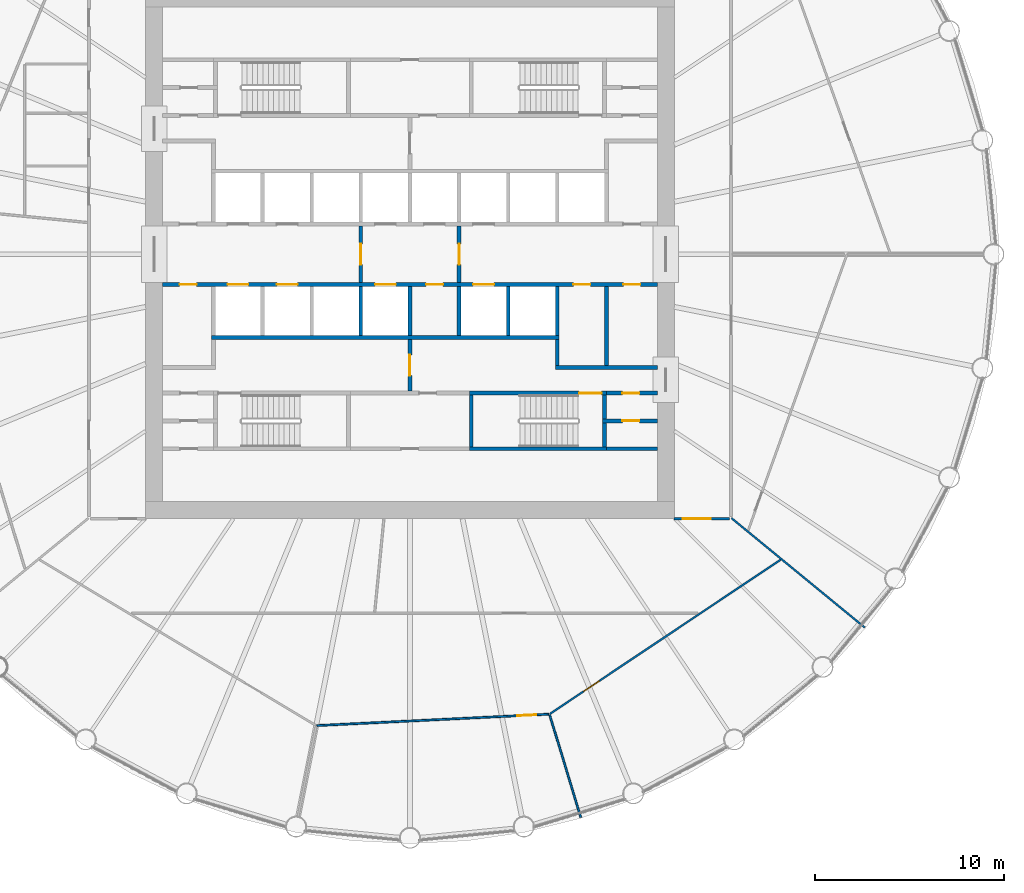
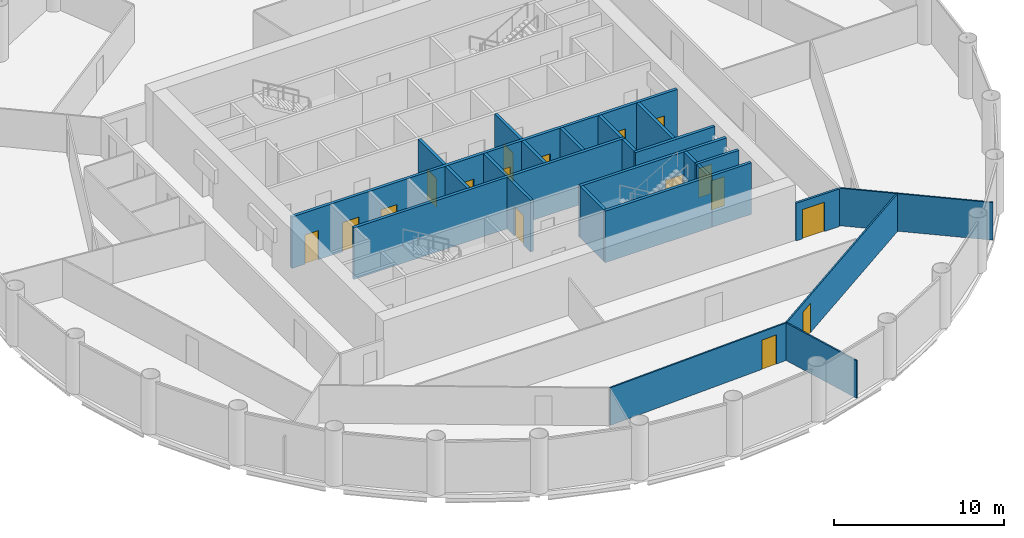
# One storey, part 5 of 9: 26 walls, 17 doors, 17 openings.
"""IFC4 building model written with IfcOpenShell, lengths in metres."""

from ifc_helpers import new_model, si_unit, direction, frame, frame_2d, origin, place, context, subcontext, project, spatial, polyline, rectangle, outline, extrude, material, layer, layer_set, type_object, element, fill, save


model = new_model("IFC4")

# Units and contexts
model_context = context("Model", 3, precision=1e-05, world=origin(), true_north=direction((0.0, 1.0)))
body_context = subcontext(model_context, "Body", "Model", "MODEL_VIEW")
ifc_project = project(units=[si_unit("LENGTHUNIT", "METRE"), si_unit("AREAUNIT", "SQUARE_METRE"), si_unit("VOLUMEUNIT", "CUBIC_METRE"), si_unit("PLANEANGLEUNIT", "RADIAN"), si_unit("MASSUNIT", "GRAM", prefix="KILO")], contexts=[model_context])

# Site, building, storey
site_placement = place(None, origin())
site = spatial("IfcSite", under=ifc_project, at=site_placement, CompositionType="ELEMENT")
building_placement = place(site_placement, origin())
building = spatial("IfcBuilding", under=site, at=building_placement, Name="Corvane Civic Tower", CompositionType="ELEMENT")
storey_placement = place(building_placement, frame((0.0, 0.0, 164.0)))
storey = spatial("IfcBuildingStorey", under=building, at=storey_placement, Name="L38", CompositionType="ELEMENT", Elevation=164.0)

# Wall, opening, door
ifc_material_1 = material(Name="Concrete C30/37", Category="concrete")
ifc_layer_1 = layer(ifc_material_1, 0.199951171875)
ifc_layer_set_1 = layer_set([ifc_layer_1], Name="Concrete C30/37")
wall_type_1 = type_object("IfcWallType", Name="CR-WALL-200", PredefinedType="PARTITIONING", material=ifc_layer_set_1)
wall_1_placement = place(storey_placement, frame((10.199951171875, -8.824951171875, 0.0), z_axis=(0.0, 0.0, 1.0), x_axis=(1.0, 0.0, 0.0)))
wall_1 = element("IfcWall", 1, at=wall_1_placement, inside=storey, type_object=wall_type_1, Name="L38 partition wall", PredefinedType="PARTITIONING", context=body_context, shape_type="SweptSolid", body=[
    extrude(rectangle(XDim=2.900146484375, YDim=0.199951171875, at=frame_2d((1.4501953125, 0.0))), origin(), (0.0, 0.0, 1.0), 3.699951171875),
])
opening_1_placement = place(wall_1_placement, frame((1.050048828125, 0.0, 0.0)))
opening_1 = element("IfcOpeningElement", 2, at=opening_1_placement, cuts=wall_1, Name="Opening L38.C19", PredefinedType="OPENING", context=body_context, shape_type="SweptSolid", body=[
    extrude(rectangle(XDim=0.89990234375, YDim=2.10009765625, at=frame_2d((0.449951171875, 1.050048828125))), frame((0.0, 0.10986328125, 0.0), z_axis=(0.0, -1.0, 0.0), x_axis=(1.0, 0.0, 0.0)), (0.0, 0.0, 1.0), 0.219970703125),
])
ifc_material_2 = material(Name="Steel fire door leaf", Category="steel")
door_type_1 = type_object("IfcDoorType", Name="CR-DOOR-900", OperationType="SINGLE_SWING_LEFT", PredefinedType="DOOR", material=ifc_material_2)
door_1_placement = place(opening_1_placement, origin())
door_1 = element("IfcDoor", 3, at=door_1_placement, inside=storey, type_object=door_type_1, Name="L38 door", OperationType="SINGLE_SWING_LEFT", OverallHeight=2.10009765625, OverallWidth=0.89990234375, PredefinedType="DOOR", context=body_context, shape_type="SweptSolid", body=[
    extrude(rectangle(XDim=0.89990234375, YDim=2.10009765625, at=frame_2d((0.449951171875, 1.050048828125))), frame((0.0, 0.02490234375, 0.0), z_axis=(0.0, -1.0, 0.0), x_axis=(1.0, 0.0, 0.0)), (0.0, 0.0, 1.0), 0.050048828125),
])
fill(opening_1, door_1)

wall_2_placement = place(storey_placement, frame((10.39990234375, -7.35009765625, 0.0), z_axis=(0.0, 0.0, 1.0), x_axis=(1.0, 0.0, 0.0)))
wall_2 = element("IfcWall", 4, at=wall_2_placement, inside=storey, type_object=wall_type_1, Name="L38 core partition wall", PredefinedType="PARTITIONING", context=body_context, shape_type="SweptSolid", body=[
    extrude(rectangle(XDim=2.7001953125, YDim=0.199951171875, at=frame_2d((1.35009765625, 0.0))), origin(), (0.0, 0.0, 1.0), 3.699951171875),
])
opening_2_placement = place(wall_2_placement, frame((0.85009765625, 0.0, 0.0)))
opening_2 = element("IfcOpeningElement", 5, at=opening_2_placement, cuts=wall_2, Name="Opening L38.C18", PredefinedType="OPENING", context=body_context, shape_type="SweptSolid", body=[
    extrude(rectangle(XDim=0.89990234375, YDim=2.10009765625, at=frame_2d((0.449951171875, 1.050048828125))), frame((0.0, 0.10986328125, 0.0), z_axis=(0.0, -1.0, 0.0), x_axis=(1.0, 0.0, 0.0)), (0.0, 0.0, 1.0), 0.219970703125),
])
door_2_placement = place(opening_2_placement, origin())
door_2 = element("IfcDoor", 6, at=door_2_placement, inside=storey, type_object=door_type_1, Name="L38 door", OperationType="SINGLE_SWING_LEFT", OverallHeight=2.10009765625, OverallWidth=0.89990234375, PredefinedType="DOOR", context=body_context, shape_type="SweptSolid", body=[
    extrude(rectangle(XDim=0.89990234375, YDim=2.10009765625, at=frame_2d((0.449951171875, 1.050048828125))), frame((0.0, 0.02490234375, 0.0), z_axis=(0.0, -1.0, 0.0), x_axis=(1.0, 0.0, 0.0)), (0.0, 0.0, 1.0), 0.050048828125),
])
fill(opening_2, door_2)

# Wall, openings, doors
wall_3_placement = place(storey_placement, frame((-13.10009765625, -1.60009765625, 0.0), z_axis=(0.0, 0.0, 1.0), x_axis=(1.0, 0.0, 0.0)))
wall_3 = element("IfcWall", 7, at=wall_3_placement, inside=storey, type_object=wall_type_1, Name="L38 lift shaft wall", PredefinedType="PARTITIONING", context=body_context, shape_type="SweptSolid", body=[
    extrude(rectangle(XDim=26.2001953125, YDim=0.199951171875, at=frame_2d((13.10009765625, 0.0))), origin(), (0.0, 0.0, 1.0), 3.699951171875),
])
opening_3_placement = place(wall_3_placement, frame((3.449951171875, 0.0, 0.0)))
opening_3 = element("IfcOpeningElement", 8, at=opening_3_placement, cuts=wall_3, Name="Opening LD", PredefinedType="OPENING", context=body_context, shape_type="SweptSolid", body=[
    extrude(rectangle(XDim=1.10009765625, YDim=2.10009765625, at=frame_2d((0.550048828125, 1.050048828125))), frame((0.0, 0.10986328125, 0.0), z_axis=(0.0, -1.0, 0.0), x_axis=(1.0, 0.0, 0.0)), (0.0, 0.0, 1.0), 0.219970703125),
])
opening_4_placement = place(wall_3_placement, frame((6.050048828125, 0.0, 0.0)))
opening_4 = element("IfcOpeningElement", 9, at=opening_4_placement, cuts=wall_3, Name="Opening LD", PredefinedType="OPENING", context=body_context, shape_type="SweptSolid", body=[
    extrude(rectangle(XDim=1.10009765625, YDim=2.10009765625, at=frame_2d((0.550048828125, 1.050048828125))), frame((0.0, 0.10986328125, 0.0), z_axis=(0.0, -1.0, 0.0), x_axis=(1.0, 0.0, 0.0)), (0.0, 0.0, 1.0), 0.219970703125),
])
opening_5_placement = place(wall_3_placement, frame((11.25, 0.0, 0.0)))
opening_5 = element("IfcOpeningElement", 10, at=opening_5_placement, cuts=wall_3, Name="Opening LD", PredefinedType="OPENING", context=body_context, shape_type="SweptSolid", body=[
    extrude(rectangle(XDim=1.10009765625, YDim=2.10009765625, at=frame_2d((0.550048828125, 1.050048828125))), frame((0.0, 0.10986328125, 0.0), z_axis=(0.0, -1.0, 0.0), x_axis=(1.0, 0.0, 0.0)), (0.0, 0.0, 1.0), 0.219970703125),
])
opening_6_placement = place(wall_3_placement, frame((13.949951171875, 0.0, 0.0)))
opening_6 = element("IfcOpeningElement", 11, at=opening_6_placement, cuts=wall_3, Name="Opening L38.C03", PredefinedType="OPENING", context=body_context, shape_type="SweptSolid", body=[
    extrude(rectangle(XDim=0.89990234375, YDim=2.10009765625, at=frame_2d((0.449951171875, 1.050048828125))), frame((0.0, 0.10986328125, 0.0), z_axis=(0.0, -1.0, 0.0), x_axis=(1.0, 0.0, 0.0)), (0.0, 0.0, 1.0), 0.219970703125),
])
opening_7_placement = place(wall_3_placement, frame((16.449951171875, 0.0, 0.0)))
opening_7 = element("IfcOpeningElement", 12, at=opening_7_placement, cuts=wall_3, Name="Opening LD", PredefinedType="OPENING", context=body_context, shape_type="SweptSolid", body=[
    extrude(rectangle(XDim=1.10009765625, YDim=2.10009765625, at=frame_2d((0.550048828125, 1.050048828125))), frame((0.0, 0.10986328125, 0.0), z_axis=(0.0, -1.0, 0.0), x_axis=(1.0, 0.0, 0.0)), (0.0, 0.0, 1.0), 0.219970703125),
])
opening_8_placement = place(wall_3_placement, frame((0.89990234375, 0.0, 0.0)))
opening_8 = element("IfcOpeningElement", 13, at=opening_8_placement, cuts=wall_3, Name="Opening L38.C04", PredefinedType="OPENING", context=body_context, shape_type="SweptSolid", body=[
    extrude(rectangle(XDim=0.89990234375, YDim=2.10009765625, at=frame_2d((0.449951171875, 1.050048828125))), frame((0.0, 0.10986328125, 0.0), z_axis=(0.0, -1.0, 0.0), x_axis=(1.0, 0.0, 0.0)), (0.0, 0.0, 1.0), 0.219970703125),
])
opening_9_placement = place(wall_3_placement, frame((21.75, 0.0, 0.0)))
opening_9 = element("IfcOpeningElement", 14, at=opening_9_placement, cuts=wall_3, Name="Opening L38.C05", PredefinedType="OPENING", context=body_context, shape_type="SweptSolid", body=[
    extrude(rectangle(XDim=0.89990234375, YDim=2.10009765625, at=frame_2d((0.449951171875, 1.050048828125))), frame((0.0, 0.10986328125, 0.0), z_axis=(0.0, -1.0, 0.0), x_axis=(1.0, 0.0, 0.0)), (0.0, 0.0, 1.0), 0.219970703125),
])
opening_10_placement = place(wall_3_placement, frame((24.39990234375, 0.0, 0.0)))
opening_10 = element("IfcOpeningElement", 15, at=opening_10_placement, cuts=wall_3, Name="Opening L38.C06", PredefinedType="OPENING", context=body_context, shape_type="SweptSolid", body=[
    extrude(rectangle(XDim=0.89990234375, YDim=2.10009765625, at=frame_2d((0.449951171875, 1.050048828125))), frame((0.0, 0.10986328125, 0.0), z_axis=(0.0, -1.0, 0.0), x_axis=(1.0, 0.0, 0.0)), (0.0, 0.0, 1.0), 0.219970703125),
])
door_3_placement = place(opening_6_placement, origin())
door_3 = element("IfcDoor", 16, at=door_3_placement, inside=storey, type_object=door_type_1, Name="L38 door", OperationType="SINGLE_SWING_LEFT", OverallHeight=2.10009765625, OverallWidth=0.89990234375, PredefinedType="DOOR", context=body_context, shape_type="SweptSolid", body=[
    extrude(rectangle(XDim=0.89990234375, YDim=2.10009765625, at=frame_2d((0.449951171875, 1.050048828125))), frame((0.0, 0.02490234375, 0.0), z_axis=(0.0, -1.0, 0.0), x_axis=(1.0, 0.0, 0.0)), (0.0, 0.0, 1.0), 0.050048828125),
])
fill(opening_6, door_3)
door_4_placement = place(opening_8_placement, origin())
door_4 = element("IfcDoor", 17, at=door_4_placement, inside=storey, type_object=door_type_1, Name="L38 door", OperationType="SINGLE_SWING_LEFT", OverallHeight=2.10009765625, OverallWidth=0.89990234375, PredefinedType="DOOR", context=body_context, shape_type="SweptSolid", body=[
    extrude(rectangle(XDim=0.89990234375, YDim=2.10009765625, at=frame_2d((0.449951171875, 1.050048828125))), frame((0.0, 0.02490234375, 0.0), z_axis=(0.0, -1.0, 0.0), x_axis=(1.0, 0.0, 0.0)), (0.0, 0.0, 1.0), 0.050048828125),
])
fill(opening_8, door_4)
door_5_placement = place(opening_9_placement, origin())
door_5 = element("IfcDoor", 18, at=door_5_placement, inside=storey, type_object=door_type_1, Name="L38 door", OperationType="SINGLE_SWING_LEFT", OverallHeight=2.10009765625, OverallWidth=0.89990234375, PredefinedType="DOOR", context=body_context, shape_type="SweptSolid", body=[
    extrude(rectangle(XDim=0.89990234375, YDim=2.10009765625, at=frame_2d((0.449951171875, 1.050048828125))), frame((0.0, 0.02490234375, 0.0), z_axis=(0.0, -1.0, 0.0), x_axis=(1.0, 0.0, 0.0)), (0.0, 0.0, 1.0), 0.050048828125),
])
fill(opening_9, door_5)
door_6_placement = place(opening_10_placement, origin())
door_6 = element("IfcDoor", 19, at=door_6_placement, inside=storey, type_object=door_type_1, Name="L38 door", OperationType="SINGLE_SWING_LEFT", OverallHeight=2.10009765625, OverallWidth=0.89990234375, PredefinedType="DOOR", context=body_context, shape_type="SweptSolid", body=[
    extrude(rectangle(XDim=0.89990234375, YDim=2.10009765625, at=frame_2d((0.449951171875, 1.050048828125))), frame((0.0, 0.02490234375, 0.0), z_axis=(0.0, -1.0, 0.0), x_axis=(1.0, 0.0, 0.0)), (0.0, 0.0, 1.0), 0.050048828125),
])
fill(opening_10, door_6)
ifc_material_3 = material(Name="Stainless steel 316 door leaves", Category="steel")
door_type_2 = type_object("IfcDoorType", Name="LD", OperationType="DOUBLE_DOOR_SLIDING", PredefinedType="DOOR", material=ifc_material_3)
door_7_placement = place(opening_3_placement, origin())
door_7 = element("IfcDoor", 20, at=door_7_placement, inside=storey, type_object=door_type_2, Name="L38 landing door", OperationType="DOUBLE_DOOR_SLIDING", OverallHeight=2.10009765625, OverallWidth=1.10009765625, PredefinedType="DOOR", context=body_context, shape_type="SweptSolid", body=[
    extrude(rectangle(XDim=1.10009765625, YDim=2.10009765625, at=frame_2d((0.550048828125, 1.050048828125))), frame((0.0, 0.02490234375, 0.0), z_axis=(0.0, -1.0, 0.0), x_axis=(1.0, 0.0, 0.0)), (0.0, 0.0, 1.0), 0.050048828125),
])
fill(opening_3, door_7)
door_8_placement = place(opening_4_placement, origin())
door_8 = element("IfcDoor", 21, at=door_8_placement, inside=storey, type_object=door_type_2, Name="L38 landing door", OperationType="DOUBLE_DOOR_SLIDING", OverallHeight=2.10009765625, OverallWidth=1.10009765625, PredefinedType="DOOR", context=body_context, shape_type="SweptSolid", body=[
    extrude(rectangle(XDim=1.10009765625, YDim=2.10009765625, at=frame_2d((0.550048828125, 1.050048828125))), frame((0.0, 0.02490234375, 0.0), z_axis=(0.0, -1.0, 0.0), x_axis=(1.0, 0.0, 0.0)), (0.0, 0.0, 1.0), 0.050048828125),
])
fill(opening_4, door_8)
door_9_placement = place(opening_5_placement, origin())
door_9 = element("IfcDoor", 22, at=door_9_placement, inside=storey, type_object=door_type_2, Name="L38 landing door", OperationType="DOUBLE_DOOR_SLIDING", OverallHeight=2.10009765625, OverallWidth=1.10009765625, PredefinedType="DOOR", context=body_context, shape_type="SweptSolid", body=[
    extrude(rectangle(XDim=1.10009765625, YDim=2.10009765625, at=frame_2d((0.550048828125, 1.050048828125))), frame((0.0, 0.02490234375, 0.0), z_axis=(0.0, -1.0, 0.0), x_axis=(1.0, 0.0, 0.0)), (0.0, 0.0, 1.0), 0.050048828125),
])
fill(opening_5, door_9)
door_10_placement = place(opening_7_placement, origin())
door_10 = element("IfcDoor", 23, at=door_10_placement, inside=storey, type_object=door_type_2, Name="L38 landing door", OperationType="DOUBLE_DOOR_SLIDING", OverallHeight=2.10009765625, OverallWidth=1.10009765625, PredefinedType="DOOR", context=body_context, shape_type="SweptSolid", body=[
    extrude(rectangle(XDim=1.10009765625, YDim=2.10009765625, at=frame_2d((0.550048828125, 1.050048828125))), frame((0.0, 0.02490234375, 0.0), z_axis=(0.0, -1.0, 0.0), x_axis=(1.0, 0.0, 0.0)), (0.0, 0.0, 1.0), 0.050048828125),
])
fill(opening_7, door_10)

# Wall, opening, door
wall_4_placement = place(storey_placement, frame((-2.60009765625, -1.5, 0.0), z_axis=(0.0, 0.0, 1.0), x_axis=(0.0, 1.0, 0.0)))
wall_4 = element("IfcWall", 24, at=wall_4_placement, inside=storey, type_object=wall_type_1, Name="L38 firefighting lobby wall", PredefinedType="PARTITIONING", context=body_context, shape_type="SweptSolid", body=[
    extrude(rectangle(XDim=3.0, YDim=0.199951171875, at=frame_2d((1.5, 0.0))), origin(), (0.0, 0.0, 1.0), 3.699951171875),
])
opening_11_placement = place(wall_4_placement, frame((0.949951171875, 0.0, 0.0)))
opening_11 = element("IfcOpeningElement", 25, at=opening_11_placement, cuts=wall_4, Name="Opening L38.C24", PredefinedType="OPENING", context=body_context, shape_type="SweptSolid", body=[
    extrude(rectangle(XDim=1.10009765625, YDim=2.10009765625, at=frame_2d((0.550048828125, 1.050048828125))), frame((0.0, 0.10986328125, 0.0), z_axis=(0.0, -1.0, 0.0), x_axis=(1.0, 0.0, 0.0)), (0.0, 0.0, 1.0), 0.219970703125),
])
ifc_material_4 = material(Name="Steel fire door leaf", Category="steel")
door_type_3 = type_object("IfcDoorType", Name="CR-DOOR-FFL-1100", OperationType="SINGLE_SWING_LEFT", PredefinedType="DOOR", material=ifc_material_4)
door_11_placement = place(opening_11_placement, origin())
door_11 = element("IfcDoor", 26, at=door_11_placement, inside=storey, type_object=door_type_3, Name="L38 lobby door", OperationType="SINGLE_SWING_LEFT", OverallHeight=2.10009765625, OverallWidth=1.10009765625, PredefinedType="DOOR", context=body_context, shape_type="SweptSolid", body=[
    extrude(rectangle(XDim=1.10009765625, YDim=2.10009765625, at=frame_2d((0.550048828125, 1.050048828125))), frame((0.0, 0.02490234375, 0.0), z_axis=(0.0, -1.0, 0.0), x_axis=(1.0, 0.0, 0.0)), (0.0, 0.0, 1.0), 0.050048828125),
])
fill(opening_11, door_11)

wall_5_placement = place(storey_placement, frame((0.0, -7.25, 0.0), z_axis=(0.0, 0.0, 1.0), x_axis=(0.0, 1.0, 0.0)))
wall_5 = element("IfcWall", 27, at=wall_5_placement, inside=storey, type_object=wall_type_1, Name="L38 core partition wall", PredefinedType="PARTITIONING", context=body_context, shape_type="SweptSolid", body=[
    extrude(rectangle(XDim=2.75, YDim=0.199951171875, at=frame_2d((1.375, 0.0))), origin(), (0.0, 0.0, 1.0), 3.699951171875),
])
opening_12_placement = place(wall_5_placement, frame((0.824951171875, 0.0, 0.0)))
opening_12 = element("IfcOpeningElement", 28, at=opening_12_placement, cuts=wall_5, Name="Opening L38.C27", PredefinedType="OPENING", context=body_context, shape_type="SweptSolid", body=[
    extrude(rectangle(XDim=1.10009765625, YDim=2.10009765625, at=frame_2d((0.550048828125, 1.050048828125))), frame((0.0, 0.10986328125, 0.0), z_axis=(0.0, -1.0, 0.0), x_axis=(1.0, 0.0, 0.0)), (0.0, 0.0, 1.0), 0.219970703125),
])
door_12_placement = place(opening_12_placement, origin())
door_12 = element("IfcDoor", 29, at=door_12_placement, inside=storey, type_object=door_type_3, Name="L38 lobby door", OperationType="SINGLE_SWING_LEFT", OverallHeight=2.10009765625, OverallWidth=1.10009765625, PredefinedType="DOOR", context=body_context, shape_type="SweptSolid", body=[
    extrude(rectangle(XDim=1.10009765625, YDim=2.10009765625, at=frame_2d((0.550048828125, 1.050048828125))), frame((0.0, 0.02490234375, 0.0), z_axis=(0.0, -1.0, 0.0), x_axis=(1.0, 0.0, 0.0)), (0.0, 0.0, 1.0), 0.050048828125),
])
fill(opening_12, door_12)

wall_6_placement = place(storey_placement, frame((2.60009765625, -1.5, 0.0), z_axis=(0.0, 0.0, 1.0), x_axis=(0.0, 1.0, 0.0)))
wall_6 = element("IfcWall", 30, at=wall_6_placement, inside=storey, type_object=wall_type_1, Name="L38 firefighting lobby wall", PredefinedType="PARTITIONING", context=body_context, shape_type="SweptSolid", body=[
    extrude(rectangle(XDim=3.0, YDim=0.199951171875, at=frame_2d((1.5, 0.0))), origin(), (0.0, 0.0, 1.0), 3.699951171875),
])
opening_13_placement = place(wall_6_placement, frame((0.949951171875, 0.0, 0.0)))
opening_13 = element("IfcOpeningElement", 31, at=opening_13_placement, cuts=wall_6, Name="Opening L38.C25", PredefinedType="OPENING", context=body_context, shape_type="SweptSolid", body=[
    extrude(rectangle(XDim=1.10009765625, YDim=2.10009765625, at=frame_2d((0.550048828125, 1.050048828125))), frame((0.0, 0.10986328125, 0.0), z_axis=(0.0, -1.0, 0.0), x_axis=(1.0, 0.0, 0.0)), (0.0, 0.0, 1.0), 0.219970703125),
])
door_13_placement = place(opening_13_placement, origin())
door_13 = element("IfcDoor", 32, at=door_13_placement, inside=storey, type_object=door_type_3, Name="L38 lobby door", OperationType="SINGLE_SWING_LEFT", OverallHeight=2.10009765625, OverallWidth=1.10009765625, PredefinedType="DOOR", context=body_context, shape_type="SweptSolid", body=[
    extrude(rectangle(XDim=1.10009765625, YDim=2.10009765625, at=frame_2d((0.550048828125, 1.050048828125))), frame((0.0, 0.02490234375, 0.0), z_axis=(0.0, -1.0, 0.0), x_axis=(1.0, 0.0, 0.0)), (0.0, 0.0, 1.0), 0.050048828125),
])
fill(opening_13, door_13)

# Walls
wall_7_placement = place(storey_placement, origin())
element("IfcWall", 33, at=wall_7_placement, inside=storey, type_object=wall_type_1, Name="L38 core partition wall", PredefinedType="PARTITIONING", context=body_context, shape_type="SweptSolid", body=[
    extrude(outline(polyline([(7.89990234375, -4.300048828125), (7.89990234375, -4.5), (-10.5, -4.5), (-10.5, -4.300048828125), (7.89990234375, -4.300048828125)])), origin(), (0.0, 0.0, 1.0), 3.699951171875),
])
wall_8_placement = place(storey_placement, origin())
element("IfcWall", 34, at=wall_8_placement, inside=storey, type_object=wall_type_1, Name="L38 core partition wall", PredefinedType="PARTITIONING", context=body_context, shape_type="SweptSolid", body=[
    extrude(outline(polyline([(13.10009765625, -6.10009765625), (7.699951171875, -6.10009765625), (7.699951171875, -5.89990234375), (13.10009765625, -5.89990234375), (13.10009765625, -6.10009765625)])), origin(), (0.0, 0.0, 1.0), 3.699951171875),
])
wall_9_placement = place(storey_placement, origin())
element("IfcWall", 35, at=wall_9_placement, inside=storey, type_object=wall_type_1, Name="L38 core partition wall", PredefinedType="PARTITIONING", context=body_context, shape_type="SweptSolid", body=[
    extrude(outline(polyline([(10.5, -1.699951171875), (10.5, -5.89990234375), (10.300048828125, -5.89990234375), (10.300048828125, -1.699951171875), (10.5, -1.699951171875)])), origin(), (0.0, 0.0, 1.0), 3.699951171875),
])
wall_10_placement = place(storey_placement, origin())
element("IfcWall", 36, at=wall_10_placement, inside=storey, type_object=wall_type_1, Name="L38 core partition wall", PredefinedType="PARTITIONING", context=body_context, shape_type="SweptSolid", body=[
    extrude(outline(polyline([(-2.5, -1.699951171875), (-2.5, -4.2998046875), (-2.699951171875, -4.2998046875), (-2.699951171875, -1.699951171875), (-2.5, -1.699951171875)])), origin(), (0.0, 0.0, 1.0), 3.699951171875),
])
wall_11_placement = place(storey_placement, origin())
element("IfcWall", 37, at=wall_11_placement, inside=storey, type_object=wall_type_1, Name="L38 core partition wall", PredefinedType="PARTITIONING", context=body_context, shape_type="SweptSolid", body=[
    extrude(outline(polyline([(2.699951171875, -1.699951171875), (2.699951171875, -4.2998046875), (2.5, -4.2998046875), (2.5, -1.699951171875), (2.699951171875, -1.699951171875)])), origin(), (0.0, 0.0, 1.0), 3.699951171875),
])
wall_12_placement = place(storey_placement, origin())
element("IfcWall", 38, at=wall_12_placement, inside=storey, type_object=wall_type_1, Name="L38 core partition wall", PredefinedType="PARTITIONING", context=body_context, shape_type="SweptSolid", body=[
    extrude(outline(polyline([(0.10009765625, -1.699951171875), (0.10009765625, -4.2998046875), (-0.10009765625, -4.2998046875), (-0.10009765625, -1.699951171875), (0.10009765625, -1.699951171875)])), origin(), (0.0, 0.0, 1.0), 3.699951171875),
])
wall_13_placement = place(storey_placement, origin())
element("IfcWall", 39, at=wall_13_placement, inside=storey, type_object=wall_type_1, Name="L38 core partition wall", PredefinedType="PARTITIONING", context=body_context, shape_type="SweptSolid", body=[
    extrude(outline(polyline([(5.300048828125, -1.699951171875), (5.300048828125, -4.2998046875), (5.10009765625, -4.2998046875), (5.10009765625, -1.699951171875), (5.300048828125, -1.699951171875)])), origin(), (0.0, 0.0, 1.0), 3.699951171875),
])
wall_14_placement = place(storey_placement, origin())
element("IfcWall", 40, at=wall_14_placement, inside=storey, type_object=wall_type_1, Name="L38 core partition wall", PredefinedType="PARTITIONING", context=body_context, shape_type="SweptSolid", body=[
    extrude(outline(polyline([(7.89990234375, -1.699951171875), (7.89990234375, -4.2998046875), (7.699951171875, -4.2998046875), (7.699951171875, -1.699951171875), (7.89990234375, -1.699951171875)])), origin(), (0.0, 0.0, 1.0), 3.699951171875),
])
wall_15_placement = place(storey_placement, origin())
element("IfcWall", 41, at=wall_15_placement, inside=storey, type_object=wall_type_1, Name="L38 core partition wall", PredefinedType="PARTITIONING", context=body_context, shape_type="SweptSolid", body=[
    extrude(outline(polyline([(7.89990234375, -5.89990234375), (7.699951171875, -5.89990234375), (7.699951171875, -4.5), (7.89990234375, -4.5), (7.89990234375, -5.89990234375)])), origin(), (0.0, 0.0, 1.0), 3.699951171875),
])
wall_16_placement = place(storey_placement, origin())
element("IfcWall", 42, at=wall_16_placement, inside=storey, type_object=wall_type_1, Name="L38 core partition wall", PredefinedType="PARTITIONING", context=body_context, shape_type="SweptSolid", body=[
    extrude(outline(polyline([(10.39990234375, -10.39990234375), (10.39990234375, -10.199951171875), (13.10009765625, -10.199951171875), (13.10009765625, -10.39990234375), (10.39990234375, -10.39990234375)])), origin(), (0.0, 0.0, 1.0), 3.699951171875),
])
ifc_material_5 = material(Name="Plasterboard")
ifc_layer_2 = layer(ifc_material_5, 0.10009765625)
ifc_layer_set_2 = layer_set([ifc_layer_2], Name="Plasterboard")
wall_type_2 = type_object("IfcWallType", Name="Partition 100 plasterboard on studs", PredefinedType="PARTITIONING", material=ifc_layer_set_2)
wall_17_placement = place(storey_placement, frame((7.397216796875, -24.385009765625, 0.0), z_axis=(0.0, 0.0, 1.0), x_axis=(0.290278763568, -0.956942129609, 0.0)))
element("IfcWall", 43, at=wall_17_placement, inside=storey, type_object=wall_type_2, Name="Partition L38.001", PredefinedType="PARTITIONING", context=body_context, shape_type="SweptSolid", body=[
    extrude(rectangle(XDim=5.66796875, YDim=0.10009765625, at=frame_2d((2.833984375, 0.0))), origin(), (0.0, 0.0, 1.0), 2.699951171875),
])

# Wall, opening, door
wall_18_placement = place(storey_placement, frame((-4.9248046875, -24.952392578125, 0.0), z_axis=(0.0, 0.0, 1.0), x_axis=(0.998795760004, 0.049061489962, 0.0)))
wall_18 = element("IfcWall", 44, at=wall_18_placement, inside=storey, type_object=wall_type_2, Name="Partition L38.003", PredefinedType="PARTITIONING", context=body_context, shape_type="SweptSolid", body=[
    extrude(rectangle(XDim=12.286376953125, YDim=0.10009765625, at=frame_2d((6.14306640625, 0.0))), origin(), (0.0, 0.0, 1.0), 2.699951171875),
])
opening_14_placement = place(wall_18_placement, frame((10.616455078125, 0.0, 0.0)))
opening_14 = element("IfcOpeningElement", 45, at=opening_14_placement, cuts=wall_18, Name="Opening L38.007", PredefinedType="OPENING", context=body_context, shape_type="SweptSolid", body=[
    extrude(rectangle(XDim=1.0, YDim=2.10009765625, at=frame_2d((0.5, 1.050048828125))), frame((0.0, 0.06005859375, 0.0), z_axis=(0.0, -1.0, 0.0), x_axis=(1.0, 0.0, 0.0)), (0.0, 0.0, 1.0), 0.1201171875),
])
ifc_material_6 = material(Name="Timber", Category="wood")
door_type_4 = type_object("IfcDoorType", Name="Single door 1000", OperationType="NOTDEFINED", PredefinedType="DOOR", material=ifc_material_6)
door_14_placement = place(opening_14_placement, frame((1.0, 0.0, 0.0), z_axis=(0.0, 0.0, 1.0), x_axis=(-1.0, 0.0, 0.0)))
door_14 = element("IfcDoor", 46, at=door_14_placement, inside=storey, type_object=door_type_4, Name="Door L38.007", OperationType="SINGLE_SWING_RIGHT", OverallHeight=2.10009765625, OverallWidth=1.0, PredefinedType="DOOR", context=body_context, shape_type="SweptSolid", body=[
    extrude(rectangle(XDim=1.0, YDim=2.10009765625, at=frame_2d((0.5, 1.050048828125))), frame((0.0, 0.02490234375, 0.0), z_axis=(0.0, -1.0, 0.0), x_axis=(1.0, 0.0, 0.0)), (0.0, 0.0, 1.0), 0.050048828125),
])
fill(opening_14, door_14)

wall_19_placement = place(storey_placement, frame((7.41650390625, -24.3271484375, 0.0), z_axis=(0.0, 0.0, 1.0), x_axis=(0.831468530602, 0.555571851896, 0.0)))
wall_19 = element("IfcWall", 47, at=wall_19_placement, inside=storey, type_object=wall_type_2, Name="Partition L38.005", PredefinedType="PARTITIONING", context=body_context, shape_type="SweptSolid", body=[
    extrude(rectangle(XDim=14.667236328125, YDim=0.10009765625, at=frame_2d((7.33349609375, 0.0))), origin(), (0.0, 0.0, 1.0), 2.699951171875),
])
opening_15_placement = place(wall_19_placement, frame((2.1328125, 0.0, 0.0)))
opening_15 = element("IfcOpeningElement", 48, at=opening_15_placement, cuts=wall_19, Name="Opening L38.006", PredefinedType="OPENING", context=body_context, shape_type="SweptSolid", body=[
    extrude(rectangle(XDim=1.0, YDim=2.10009765625, at=frame_2d((0.5, 1.050048828125))), frame((0.0, 0.06005859375, 0.0), z_axis=(0.0, -1.0, 0.0), x_axis=(1.0, 0.0, 0.0)), (0.0, 0.0, 1.0), 0.1201171875),
])
door_15_placement = place(opening_15_placement, frame((1.0, 0.0, 0.0), z_axis=(0.0, 0.0, 1.0), x_axis=(-1.0, 0.0, 0.0)))
door_15 = element("IfcDoor", 49, at=door_15_placement, inside=storey, type_object=door_type_4, Name="Door L38.006", OperationType="SINGLE_SWING_LEFT", OverallHeight=2.10009765625, OverallWidth=1.0, PredefinedType="DOOR", context=body_context, shape_type="SweptSolid", body=[
    extrude(rectangle(XDim=1.0, YDim=2.10009765625, at=frame_2d((0.5, 1.050048828125))), frame((0.0, 0.02490234375, 0.0), z_axis=(0.0, -1.0, 0.0), x_axis=(1.0, 0.0, 0.0)), (0.0, 0.0, 1.0), 0.050048828125),
])
fill(opening_15, door_15)

# Wall
wall_20_placement = place(storey_placement, frame((17.018310546875, -13.966552734375, 0.0), z_axis=(0.0, 0.0, 1.0), x_axis=(0.773006154143, -0.634398522742, 0.0)))
element("IfcWall", 50, at=wall_20_placement, inside=storey, type_object=wall_type_2, Name="Partition L38.007", PredefinedType="PARTITIONING", context=body_context, shape_type="SweptSolid", body=[
    extrude(rectangle(XDim=9.134521484375, YDim=0.10009765625, at=frame_2d((4.5673828125, 0.0))), origin(), (0.0, 0.0, 1.0), 2.699951171875),
])

# Wall, opening, door
ifc_material_7 = material(Name="Concrete C50/60", Category="concrete")
ifc_layer_3 = layer(ifc_material_7, 0.199951171875)
ifc_layer_set_3 = layer_set([ifc_layer_3], Name="Concrete C50/60")
wall_type_3 = type_object("IfcWallType", Name="ST-WALL-200", PredefinedType="SHEAR", material=ifc_layer_set_3)
wall_21_placement = place(storey_placement, frame((3.14990234375, -7.35009765625, 0.0), z_axis=(0.0, 0.0, 1.0), x_axis=(1.0, 0.0, 0.0)))
wall_21 = element("IfcWall", 51, at=wall_21_placement, inside=storey, type_object=wall_type_3, Name="L38 stair enclosure wall", PredefinedType="SHEAR", context=body_context, shape_type="SweptSolid", body=[
    extrude(rectangle(XDim=7.25, YDim=0.199951171875, at=frame_2d((3.625, 0.0))), origin(), (0.0, 0.0, 1.0), 3.699951171875),
])
opening_16_placement = place(wall_21_placement, frame((5.800048828125, 0.0, 0.0)))
opening_16 = element("IfcOpeningElement", 52, at=opening_16_placement, cuts=wall_21, Name="Opening L38.C22", PredefinedType="OPENING", context=body_context, shape_type="SweptSolid", body=[
    extrude(rectangle(XDim=1.199951171875, YDim=2.10009765625, at=frame_2d((0.60009765625, 1.050048828125))), frame((0.0, 0.10986328125, 0.0), z_axis=(0.0, -1.0, 0.0), x_axis=(1.0, 0.0, 0.0)), (0.0, 0.0, 1.0), 0.219970703125),
])
ifc_material_8 = material(Name="Steel fire door leaf", Category="steel")
door_type_5 = type_object("IfcDoorType", Name="ST-DOOR-1200", OperationType="SINGLE_SWING_RIGHT", PredefinedType="DOOR", material=ifc_material_8)
door_16_placement = place(opening_16_placement, origin())
door_16 = element("IfcDoor", 53, at=door_16_placement, inside=storey, type_object=door_type_5, Name="L38 stair door", OperationType="SINGLE_SWING_RIGHT", OverallHeight=2.10009765625, OverallWidth=1.199951171875, PredefinedType="DOOR", context=body_context, shape_type="SweptSolid", body=[
    extrude(rectangle(XDim=1.199951171875, YDim=2.10009765625, at=frame_2d((0.60009765625, 1.050048828125))), frame((0.0, 0.02490234375, 0.0), z_axis=(0.0, -1.0, 0.0), x_axis=(1.0, 0.0, 0.0)), (0.0, 0.0, 1.0), 0.050048828125),
])
fill(opening_16, door_16)

# Walls
wall_22_placement = place(storey_placement, origin())
element("IfcWall", 54, at=wall_22_placement, inside=storey, type_object=wall_type_3, Name="L38 stair enclosure wall", PredefinedType="SHEAR", context=body_context, shape_type="SweptSolid", body=[
    extrude(outline(polyline([(10.39990234375, -10.39990234375), (3.14990234375, -10.39990234375), (3.14990234375, -10.199951171875), (10.39990234375, -10.199951171875), (10.39990234375, -10.39990234375)])), origin(), (0.0, 0.0, 1.0), 3.699951171875),
])
wall_23_placement = place(storey_placement, origin())
element("IfcWall", 55, at=wall_23_placement, inside=storey, type_object=wall_type_3, Name="L38 stair enclosure wall", PredefinedType="SHEAR", context=body_context, shape_type="SweptSolid", body=[
    extrude(outline(polyline([(3.35009765625, -7.449951171875), (3.35009765625, -10.199951171875), (3.14990234375, -10.199951171875), (3.14990234375, -7.449951171875), (3.35009765625, -7.449951171875)])), origin(), (0.0, 0.0, 1.0), 3.699951171875),
])
wall_24_placement = place(storey_placement, origin())
element("IfcWall", 56, at=wall_24_placement, inside=storey, type_object=wall_type_3, Name="L38 stair enclosure wall", PredefinedType="SHEAR", context=body_context, shape_type="SweptSolid", body=[
    extrude(outline(polyline([(10.39990234375, -7.449951171875), (10.39990234375, -8.72509765625), (10.199951171875, -8.72509765625), (10.199951171875, -7.449951171875), (10.39990234375, -7.449951171875)])), origin(), (0.0, 0.0, 1.0), 3.699951171875),
])
wall_25_placement = place(storey_placement, origin())
element("IfcWall", 57, at=wall_25_placement, inside=storey, type_object=wall_type_3, Name="L38 stair enclosure wall", PredefinedType="SHEAR", context=body_context, shape_type="SweptSolid", body=[
    extrude(outline(polyline([(10.39990234375, -8.925048828125), (10.39990234375, -10.199951171875), (10.199951171875, -10.199951171875), (10.199951171875, -8.925048828125), (10.39990234375, -8.925048828125)])), origin(), (0.0, 0.0, 1.0), 3.699951171875),
])

# Wall, opening, door
ifc_material_9 = material(Name="Plasterboard")
ifc_layer_4 = layer(ifc_material_9, 0.14990234375)
ifc_layer_set_4 = layer_set([ifc_layer_4], Name="Plasterboard")
wall_type_4 = type_object("IfcWallType", Name="Tenancy wall 150 EI 60", PredefinedType="PARTITIONING", material=ifc_layer_set_4)
wall_26_placement = place(storey_placement, frame((13.989990234375, -14.0, 0.0), z_axis=(0.0, 0.0, 1.0), x_axis=(1.0, 0.0, 0.0)))
wall_26 = element("IfcWall", 58, at=wall_26_placement, inside=storey, type_object=wall_type_4, Name="Partition L38.013", PredefinedType="PARTITIONING", context=body_context, shape_type="SweptSolid", body=[
    extrude(rectangle(XDim=2.93505859375, YDim=0.14990234375, at=frame_2d((1.467529296875, 0.0))), origin(), (0.0, 0.0, 1.0), 2.699951171875),
])
opening_17_placement = place(wall_26_placement, frame((0.444091796875, 0.0, 0.0)))
opening_17 = element("IfcOpeningElement", 59, at=opening_17_placement, cuts=wall_26, Name="Opening L38.010", PredefinedType="OPENING", context=body_context, shape_type="SweptSolid", body=[
    extrude(rectangle(XDim=1.5, YDim=2.10009765625, at=frame_2d((0.75, 1.050048828125))), frame((0.0, 0.0849609375, 0.0), z_axis=(0.0, -1.0, 0.0), x_axis=(1.0, 0.0, 0.0)), (0.0, 0.0, 1.0), 0.169921875),
])
ifc_material_10 = material(Name="Steel and timber", Category="steel")
door_type_6 = type_object("IfcDoorType", Name="Fire door FD60 double 1500", OperationType="NOTDEFINED", PredefinedType="DOOR", material=ifc_material_10)
door_17_placement = place(opening_17_placement, frame((1.5, 0.0, 0.0), z_axis=(0.0, 0.0, 1.0), x_axis=(-1.0, 0.0, 0.0)))
door_17 = element("IfcDoor", 60, at=door_17_placement, inside=storey, type_object=door_type_6, Name="Door L38.010", OperationType="DOUBLE_DOOR_SINGLE_SWING", OverallHeight=2.10009765625, OverallWidth=1.5, PredefinedType="DOOR", context=body_context, shape_type="SweptSolid", body=[
    extrude(rectangle(XDim=1.5, YDim=2.10009765625, at=frame_2d((0.75, 1.050048828125))), frame((0.0, 0.02490234375, 0.0), z_axis=(0.0, -1.0, 0.0), x_axis=(1.0, 0.0, 0.0)), (0.0, 0.0, 1.0), 0.050048828125),
])
fill(opening_17, door_17)

save(model, "model.ifc")
